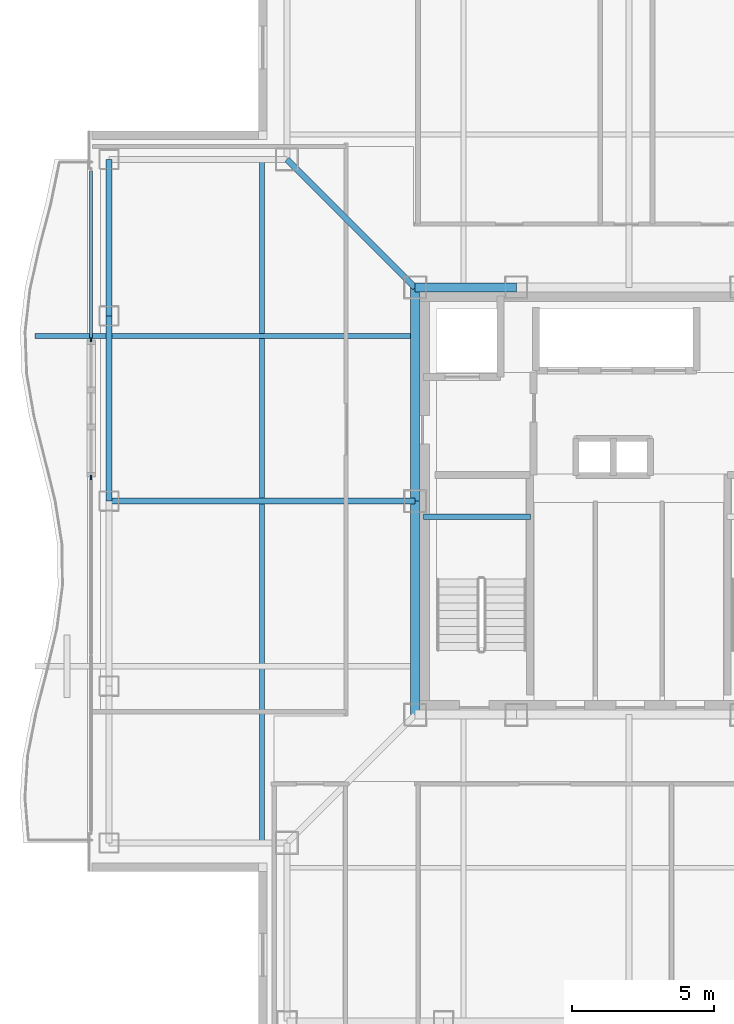
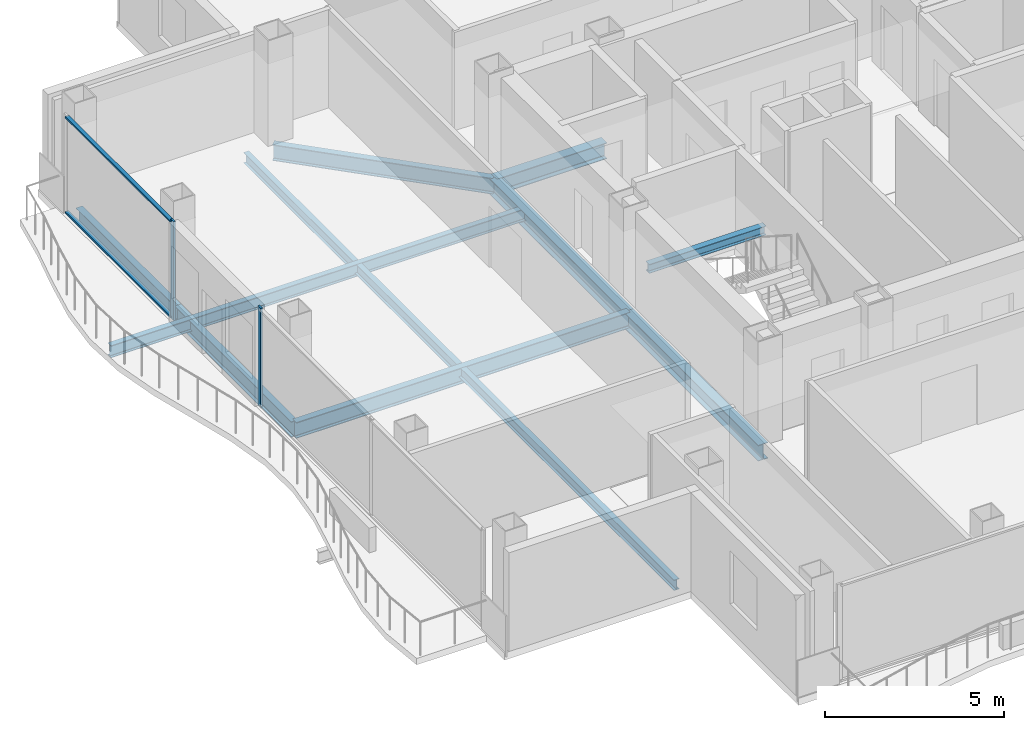
# One storey, part 4 of 17: 10 beams, 4 members, 2 elements without a shape of their own.
"""IFC4 building model written with IfcOpenShell, lengths in metres."""

from ifc_helpers import new_model, si_unit, direction, frame, origin, origin_2d, place, context, subcontext, project, spatial, rectangle, i_section, extrude, material, layer, layer_set, material_profile, profile_set, type_object, element, aggregate, save


model = new_model("IFC4")

# Units and contexts
model_context = context("Model", 3, precision=1e-05, world=origin(), true_north=direction((0.0, 1.0)))
body_context = subcontext(model_context, "Body", "Model", "MODEL_VIEW")
ifc_project = project(units=[si_unit("LENGTHUNIT", "METRE"), si_unit("AREAUNIT", "SQUARE_METRE"), si_unit("VOLUMEUNIT", "CUBIC_METRE"), si_unit("PLANEANGLEUNIT", "RADIAN"), si_unit("MASSUNIT", "GRAM", prefix="KILO")], contexts=[model_context])

# Site, building, storey
site_placement = place(None, origin())
site = spatial("IfcSite", under=ifc_project, at=site_placement, CompositionType="ELEMENT")
building_placement = place(site_placement, origin())
building = spatial("IfcBuilding", under=site, at=building_placement, Name="Trevonay Congress Spire", CompositionType="ELEMENT")
storey_placement = place(building_placement, frame((0.0, 0.0, 264.800048828125)))
storey = spatial("IfcBuildingStorey", under=building, at=storey_placement, Name="L69", CompositionType="ELEMENT", Elevation=264.800048828125)

# Beams
ifc_material_1 = material(Name="Steel ASTM A572 Grade 50", Category="steel")
ifc_material_profile_1 = material_profile(ifc_material_1, i_section(OverallWidth=0.2119140625, OverallDepth=0.5439453125, WebThickness=0.01318359375, FlangeThickness=0.021240234375, FilletRadius=0.014892578125, at=origin_2d()), Name="W530x123")
ifc_profile_set_1 = profile_set([ifc_material_profile_1], Name="Steel ASTM A572 Grade 50")
beam_type_1 = type_object("IfcBeamType", Name="BM-GIRD-W530X123", PredefinedType="BEAM", material=ifc_profile_set_1)
beam_1_placement = place(storey_placement, frame((-7.5, 7.5, -0.511962890625), z_axis=(-0.707106781187, 0.707106781187, 0.0), x_axis=(-0.707106781187, -0.707106781187, 0.0)))
element("IfcBeam", 1, at=beam_1_placement, inside=storey, type_object=beam_type_1, Name="L69 structural beam BM-L69-CDNW", PredefinedType="BEAM", context=body_context, shape_type="SweptSolid", body=[
    extrude(i_section(OverallWidth=0.2119140625, OverallDepth=0.5439453125, WebThickness=0.01318359375, FlangeThickness=0.021240234375, FilletRadius=0.014892578125, at=origin_2d()), origin(), (0.0, 0.0, 1.0), 6.364013671875),
])
beam_2_placement = place(storey_placement, frame((-7.5, 0.0, -0.511962890625), z_axis=(-1.0, 0.0, 0.0), x_axis=(0.0, -1.0, 0.0)))
element("IfcBeam", 2, at=beam_2_placement, inside=storey, type_object=beam_type_1, Name="L69 structural beam BM-L69-GC-W", PredefinedType="BEAM", context=body_context, shape_type="SweptSolid", body=[
    extrude(i_section(OverallWidth=0.2119140625, OverallDepth=0.5439453125, WebThickness=0.01318359375, FlangeThickness=0.021240234375, FilletRadius=0.014892578125, at=origin_2d()), origin(), (0.0, 0.0, 1.0), 10.75),
])
ifc_material_profile_2 = material_profile(ifc_material_1, i_section(OverallWidth=0.31201171875, OverallDepth=0.54296875, WebThickness=0.0126953125, FlangeThickness=0.020263671875, FilletRadius=0.014892578125, at=origin_2d()), Name="W530x150")
ifc_profile_set_2 = profile_set([ifc_material_profile_2], Name="Steel ASTM A572 Grade 50")
beam_type_2 = type_object("IfcBeamType", Name="BM-GIRD-W530X150", PredefinedType="BEAM", material=ifc_profile_set_2)
beam_3_placement = place(storey_placement, frame((-7.5, 7.5, -0.511474609375), z_axis=(1.0, 0.0, 0.0), x_axis=(0.0, 1.0, 0.0)))
element("IfcBeam", 3, at=beam_3_placement, inside=storey, type_object=beam_type_2, Name="L69 structural beam BM-L69-CR-N1", PredefinedType="BEAM", context=body_context, shape_type="SweptSolid", body=[
    extrude(i_section(OverallWidth=0.31201171875, OverallDepth=0.54296875, WebThickness=0.0126953125, FlangeThickness=0.020263671875, FilletRadius=0.014892578125, at=origin_2d()), origin(), (0.0, 0.0, 1.0), 3.550048828125),
])
for number, where, z_axis, x_axis, name in (
    (4, (-7.5, -7.5, -0.511474609375), (0.0, 1.0, 0.0), (-1.0, 0.0, 0.0), "L69 structural beam BM-L69-CR-W1"),
    (5, (-7.5, 0.0, -0.511474609375), (0.0, 1.0, 0.0), (-1.0, 0.0, 0.0), "L69 structural beam BM-L69-CR-W2"),
):
    element("IfcBeam", number, at=place(storey_placement, frame(where, z_axis=z_axis, x_axis=x_axis)), inside=storey, type_object=beam_type_2, Name=name, PredefinedType="BEAM", context=body_context, shape_type="SweptSolid", body=[
        extrude(i_section(OverallWidth=0.31201171875, OverallDepth=0.54296875, WebThickness=0.0126953125, FlangeThickness=0.020263671875, FilletRadius=0.014892578125, at=origin_2d()), origin(), (0.0, 0.0, 1.0), 7.5),
    ])
ifc_material_profile_3 = material_profile(ifc_material_1, i_section(OverallWidth=0.208984375, OverallDepth=0.532958984375, WebThickness=0.01025390625, FlangeThickness=0.015625, FilletRadius=0.014892578125, at=origin_2d()), Name="W530x92")
ifc_profile_set_3 = profile_set([ifc_material_profile_3], Name="Steel ASTM A572 Grade 50")
beam_type_3 = type_object("IfcBeamType", Name="BM-RING-W530X92", PredefinedType="BEAM", material=ifc_profile_set_3)
beam_4_placement = place(storey_placement, frame((-18.25, 0.0, -0.506591796875), z_axis=(0.0, 1.0, 0.0), x_axis=(-1.0, 0.0, 0.0)))
element("IfcBeam", 6, at=beam_4_placement, inside=storey, type_object=beam_type_3, Name="L69 structural beam BM-L69-PW3", PredefinedType="BEAM", context=body_context, shape_type="SweptSolid", body=[
    extrude(i_section(OverallWidth=0.208984375, OverallDepth=0.532958984375, WebThickness=0.01025390625, FlangeThickness=0.015625, FilletRadius=0.014892578125, at=origin_2d()), origin(), (0.0, 0.0, 1.0), 6.5),
])
beam_5_placement = place(storey_placement, frame((-18.25, 6.5, -0.506591796875), z_axis=(0.0, 1.0, 0.0), x_axis=(-1.0, 0.0, 0.0)))
element("IfcBeam", 7, at=beam_5_placement, inside=storey, type_object=beam_type_3, Name="L69 structural beam BM-L69-PW4", PredefinedType="BEAM", context=body_context, shape_type="SweptSolid", body=[
    extrude(i_section(OverallWidth=0.208984375, OverallDepth=0.532958984375, WebThickness=0.01025390625, FlangeThickness=0.015625, FilletRadius=0.014892578125, at=origin_2d()), origin(), (0.0, 0.0, 1.0), 5.5),
])
ifc_material_profile_4 = material_profile(ifc_material_1, i_section(OverallWidth=0.180908203125, OverallDepth=0.4169921875, WebThickness=0.010986328125, FlangeThickness=0.018310546875, FilletRadius=0.012939453125, at=origin_2d()), Name="W410x85")
ifc_profile_set_4 = profile_set([ifc_material_profile_4], Name="Steel ASTM A572 Grade 50")
beam_type_4 = type_object("IfcBeamType", Name="BM-WAV-LOOKOUT", PredefinedType="BEAM", material=ifc_profile_set_4)
beam_6_placement = place(storey_placement, frame((-7.5, 5.800048828125, -0.448486328125), z_axis=(-1.0, 0.0, 0.0), x_axis=(0.0, -1.0, 0.0)))
element("IfcBeam", 8, at=beam_6_placement, inside=storey, type_object=beam_type_4, Name="L69 structural beam WLK-L69-W2", PredefinedType="BEAM", context=body_context, shape_type="SweptSolid", body=[
    extrude(i_section(OverallWidth=0.180908203125, OverallDepth=0.4169921875, WebThickness=0.010986328125, FlangeThickness=0.018310546875, FilletRadius=0.012939453125, at=origin_2d()), origin(), (0.0, 0.0, 1.0), 13.35009765625),
])

# Curtain wall, member
ifc_material_2 = material(Name="Pale Anodised Aluminium EN AW-6063-T6", Category="aluminium")
ifc_layer = layer(ifc_material_2, 0.1650390625, Name="Pale Anodised Aluminium EN AW-6063-T6")
ifc_layer_set = layer_set([ifc_layer], Name="Pale Anodised Aluminium EN AW-6063-T6")
curtain_wall_type = type_object("IfcCurtainWallType", Name="CW-SYS05-DIPLOM-PALE-METAL", PredefinedType="NOTDEFINED", material=ifc_layer_set)
curtain_wall_1_placement = place(storey_placement, origin())
curtain_wall_1 = element("IfcCurtainWall", 9, at=curtain_wall_1_placement, inside=storey, type_object=curtain_wall_type, Name="L69 WA unitised curtain wall", PredefinedType="NOTDEFINED")
ifc_material_profile_5 = material_profile(ifc_material_2, rectangle(XDim=0.06005859375, YDim=0.159912109375, at=origin_2d()), Name="CW-MULLION-160-ALUMINIUM")
ifc_profile_set_5 = profile_set([ifc_material_profile_5], Name="Pale Anodised Aluminium EN AW-6063-T6")
member_type_1 = type_object("IfcMemberType", Name="CW-MULLION-160-ALUMINIUM", PredefinedType="MULLION", material=ifc_profile_set_5)
member_1_placement = place(storey_placement, frame((-18.8798828125, 0.820068359375, 0.0), z_axis=(0.0, 0.0, 1.0), x_axis=(-1.0, 0.0, 0.0)))
member_1 = element("IfcMember", 10, at=member_1_placement, type_object=member_type_1, Name="CW05 mullion 3", PredefinedType="MULLION", context=body_context, shape_type="SweptSolid", body=[
    extrude(rectangle(XDim=0.06005859375, YDim=0.159912109375, at=origin_2d()), origin(), (0.0, 0.0, 1.0), 3.35986328125),
])
aggregate(curtain_wall_1, [member_1])

# Curtain wall, members
curtain_wall_2_placement = place(storey_placement, origin())
curtain_wall_2 = element("IfcCurtainWall", 11, at=curtain_wall_2_placement, inside=storey, type_object=curtain_wall_type, Name="L69 WB unitised curtain wall", PredefinedType="NOTDEFINED")
member_2_placement = place(storey_placement, frame((-18.8798828125, 5.679931640625, 0.0), z_axis=(0.0, 0.0, 1.0), x_axis=(-1.0, 0.0, 0.0)))
member_2 = element("IfcMember", 12, at=member_2_placement, type_object=member_type_1, Name="CW05 mullion 1", PredefinedType="MULLION", context=body_context, shape_type="SweptSolid", body=[
    extrude(rectangle(XDim=0.06005859375, YDim=0.159912109375, at=origin_2d()), origin(), (0.0, 0.0, 1.0), 3.35986328125),
])
ifc_material_profile_6 = material_profile(ifc_material_2, rectangle(XDim=0.1201171875, YDim=0.06005859375, at=origin_2d()), Name="CW-TRANSOM-120-ALUMINIUM")
ifc_profile_set_6 = profile_set([ifc_material_profile_6], Name="Pale Anodised Aluminium EN AW-6063-T6")
member_type_2 = type_object("IfcMemberType", Name="CW-TRANSOM-120-ALUMINIUM", PredefinedType="USERDEFINED", material=ifc_profile_set_6)
member_3_placement = place(storey_placement, frame((-18.8798828125, 5.7099609375, 0.06005859375), z_axis=(0.0, 1.0, 0.0), x_axis=(-1.0, 0.0, 0.0)))
member_3 = element("IfcMember", 13, at=member_3_placement, type_object=member_type_2, Name="CW05 transom 1.1", ObjectType="TRANSOM", PredefinedType="USERDEFINED", context=body_context, shape_type="SweptSolid", body=[
    extrude(rectangle(XDim=0.1201171875, YDim=0.06005859375, at=origin_2d()), origin(), (0.0, 0.0, 1.0), 5.880126953125),
])
member_4_placement = place(storey_placement, frame((-18.8798828125, 5.7099609375, 3.300048828125), z_axis=(0.0, 1.0, 0.0), x_axis=(-1.0, 0.0, 0.0)))
member_4 = element("IfcMember", 14, at=member_4_placement, type_object=member_type_2, Name="CW05 transom 1.2", ObjectType="TRANSOM", PredefinedType="USERDEFINED", context=body_context, shape_type="SweptSolid", body=[
    extrude(rectangle(XDim=0.1201171875, YDim=0.06005859375, at=origin_2d()), origin(), (0.0, 0.0, 1.0), 5.880126953125),
])
aggregate(curtain_wall_2, [member_2, member_3, member_4])

# Beams
ifc_material_profile_7 = material_profile(ifc_material_1, i_section(OverallWidth=0.172119140625, OverallDepth=0.35791015625, WebThickness=0.0078125, FlangeThickness=0.01318359375, FilletRadius=0.011962890625, at=origin_2d()), Name="W360x57.8")
ifc_profile_set_7 = profile_set([ifc_material_profile_7], Name="Steel ASTM A572 Grade 50")
beam_type_5 = type_object("IfcBeamType", Name="JS-COMP-W360X57", PredefinedType="JOIST", material=ifc_profile_set_7)
beam_7_placement = place(storey_placement, frame((-12.875, -12.0, -0.4189453125), z_axis=(0.0, 1.0, 0.0), x_axis=(-1.0, 0.0, 0.0)))
element("IfcBeam", 15, at=beam_7_placement, inside=storey, type_object=beam_type_5, Name="L69 structural beam JS-L69-RING-W", PredefinedType="JOIST", context=body_context, shape_type="SweptSolid", body=[
    extrude(i_section(OverallWidth=0.172119140625, OverallDepth=0.35791015625, WebThickness=0.0078125, FlangeThickness=0.01318359375, FilletRadius=0.011962890625, at=origin_2d()), origin(), (0.0, 0.0, 1.0), 24.0),
])
ifc_material_profile_8 = material_profile(ifc_material_1, i_section(OverallWidth=0.2041015625, OverallDepth=0.305908203125, WebThickness=0.008544921875, FlangeThickness=0.0146484375, FilletRadius=0.010986328125, at=origin_2d()), Name="W310x67")
ifc_profile_set_8 = profile_set([ifc_material_profile_8], Name="Steel ASTM A572 Grade 50")
beam_type_6 = type_object("IfcBeamType", Name="LN-CORE-W310X67", PredefinedType="LINTEL", material=ifc_profile_set_8)
beam_8_placement = place(storey_placement, frame((-7.199951171875, -0.550048828125, 1.447021484375), z_axis=(1.0, 0.0, 0.0), x_axis=(0.0, 1.0, 0.0)))
element("IfcBeam", 16, at=beam_8_placement, inside=storey, type_object=beam_type_6, Name="L69 structural beam BM-L69-HL-ST1", PredefinedType="LINTEL", context=body_context, shape_type="SweptSolid", body=[
    extrude(i_section(OverallWidth=0.2041015625, OverallDepth=0.305908203125, WebThickness=0.008544921875, FlangeThickness=0.0146484375, FilletRadius=0.010986328125, at=origin_2d()), origin(), (0.0, 0.0, 1.0), 3.75),
])

save(model, "model.ifc")
